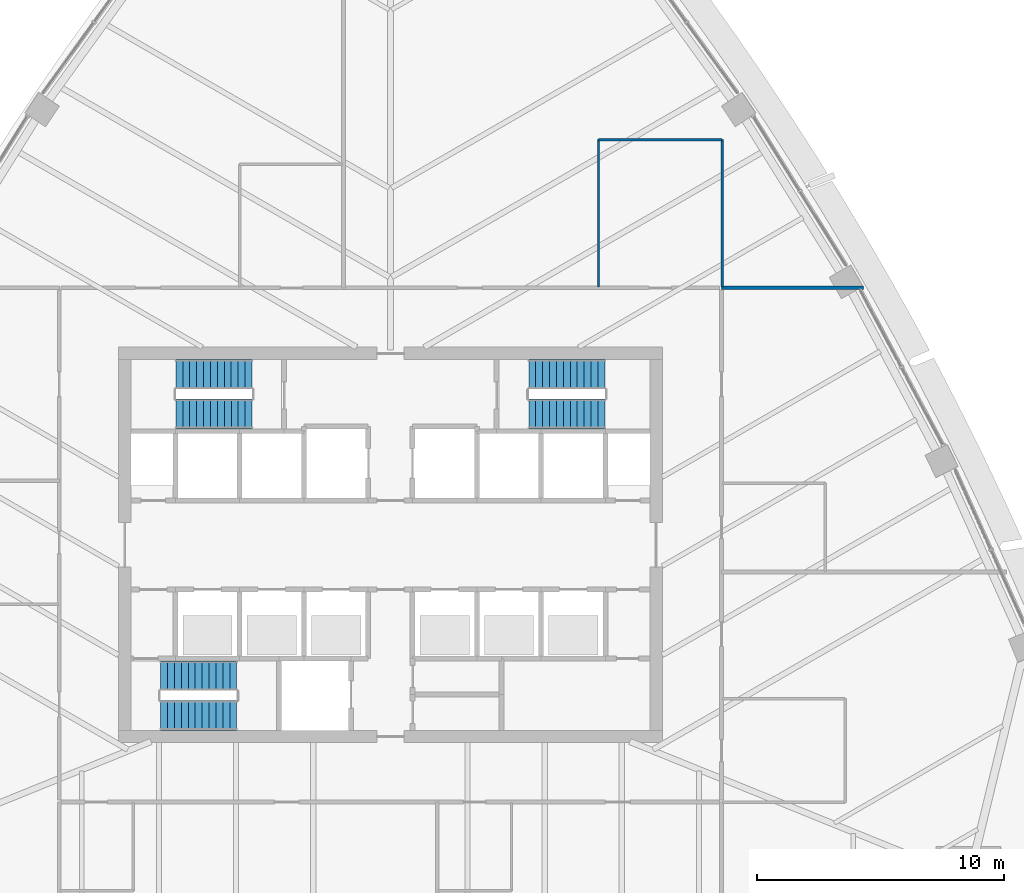
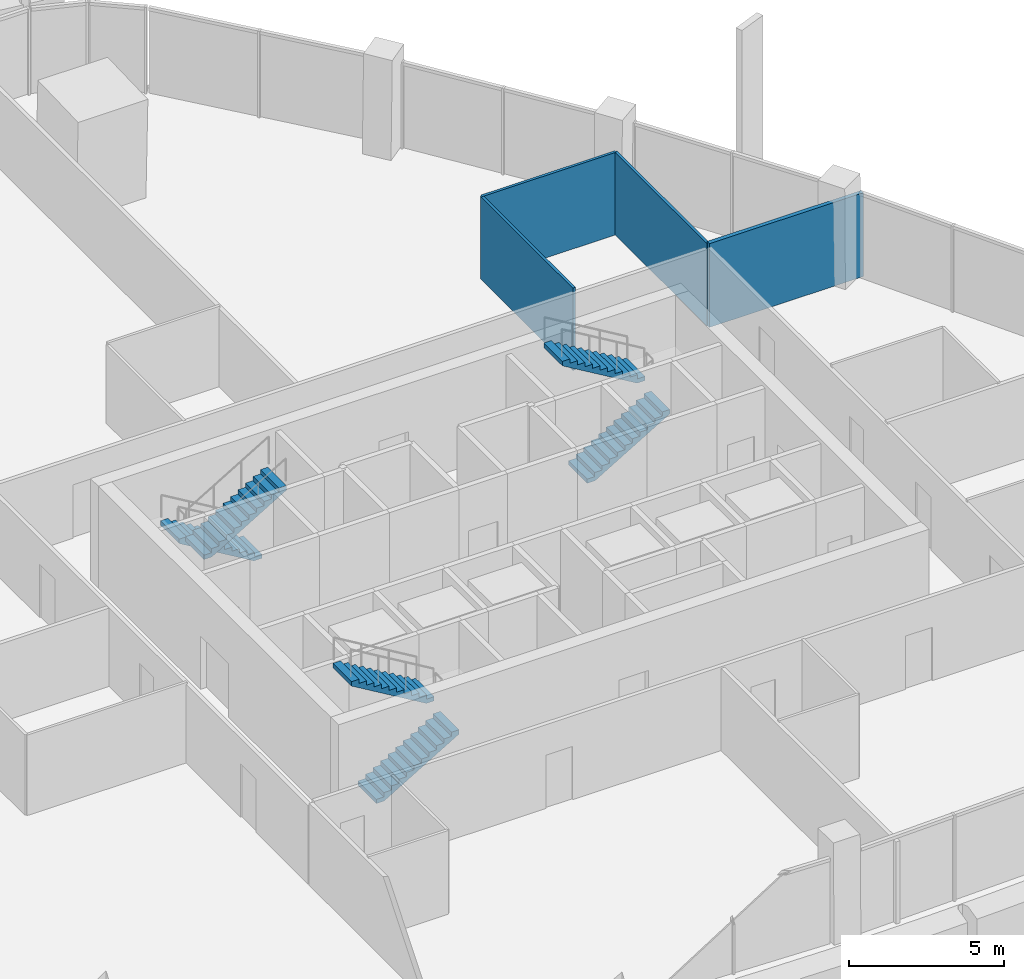
# One storey, part 12 of 19: 6 stair flights, 4 walls, 3 elements without a shape of their own.
"""IFC4 building model written with IfcOpenShell, lengths in metres."""

from ifc_helpers import new_model, si_unit, direction, frame, frame_2d, origin, place, context, subcontext, project, spatial, polyline, rectangle, outline, extrude, material, layer, layer_set, type_object, element, aggregate, save


model = new_model("IFC4")

# Units and contexts
model_context = context("Model", 3, precision=1e-05, world=origin(), true_north=direction((0.0, 1.0)))
body_context = subcontext(model_context, "Body", "Model", "MODEL_VIEW")
ifc_project = project(units=[si_unit("LENGTHUNIT", "METRE"), si_unit("AREAUNIT", "SQUARE_METRE"), si_unit("VOLUMEUNIT", "CUBIC_METRE"), si_unit("PLANEANGLEUNIT", "RADIAN"), si_unit("MASSUNIT", "GRAM", prefix="KILO")], contexts=[model_context])

# Site, building, storey
site_placement = place(None, origin())
site = spatial("IfcSite", under=ifc_project, at=site_placement, CompositionType="ELEMENT")
building_placement = place(site_placement, origin())
building = spatial("IfcBuilding", under=site, at=building_placement, Name="Sierra Prisma Convention Tower", CompositionType="ELEMENT")
storey_placement = place(building_placement, frame((0.0, 0.0, 185.800048828125)))
storey = spatial("IfcBuildingStorey", under=building, at=storey_placement, Name="L41", CompositionType="ELEMENT", Elevation=185.800048828125)

# Walls
ifc_material_1 = material(Name="Gypsum board partition", Category="gypsum")
ifc_layer_1 = layer(ifc_material_1, 0.10009765625)
ifc_layer_set_1 = layer_set([ifc_layer_1], Name="Bathroom partition 100")
wall_type_1 = type_object("IfcWallType", Name="Bathroom partition 100", PredefinedType="PARTITIONING", material=ifc_layer_set_1)
wall_1_placement = place(storey_placement, frame((8.419921875, 10.429931640625, 0.0), z_axis=(0.0, 0.0, 1.0), x_axis=(0.0, 1.0, 0.0)))
element("IfcWall", 1, at=wall_1_placement, inside=storey, type_object=wall_type_1, Name="Partition L41 bath 9", PredefinedType="PARTITIONING", context=body_context, shape_type="SweptSolid", body=[
    extrude(rectangle(XDim=5.969970703125, YDim=0.10009765625, at=frame_2d((2.98486328125, 0.0))), origin(), (0.0, 0.0, 1.0), 3.2470703125),
])
wall_2_placement = place(storey_placement, frame((8.419921875, 16.39990234375, 0.0), z_axis=(0.0, 0.0, 1.0), x_axis=(1.0, 0.0, 0.0)))
element("IfcWall", 2, at=wall_2_placement, inside=storey, type_object=wall_type_1, Name="Partition L41 bath 10", PredefinedType="PARTITIONING", context=body_context, shape_type="SweptSolid", body=[
    extrude(rectangle(XDim=5.0, YDim=0.10009765625, at=frame_2d((2.5, 0.0))), origin(), (0.0, 0.0, 1.0), 3.2470703125),
])
wall_3_placement = place(storey_placement, frame((13.419921875, 16.39990234375, 0.0), z_axis=(0.0, 0.0, 1.0), x_axis=(0.0, -1.0, 0.0)))
element("IfcWall", 3, at=wall_3_placement, inside=storey, type_object=wall_type_1, Name="Partition L41 bath 11", PredefinedType="PARTITIONING", context=body_context, shape_type="SweptSolid", body=[
    extrude(rectangle(XDim=5.969970703125, YDim=0.10009765625, at=frame_2d((2.98486328125, 0.0))), origin(), (0.0, 0.0, 1.0), 3.2470703125),
])
ifc_material_2 = material(Name="Gypsum board partition", Category="gypsum")
ifc_layer_2 = layer(ifc_material_2, 0.14990234375)
ifc_layer_set_2 = layer_set([ifc_layer_2], Name="Party wall 150 gypsum")
wall_type_2 = type_object("IfcWallType", Name="Party wall 150 gypsum", PredefinedType="PARTITIONING", material=ifc_layer_set_2)
wall_4_placement = place(storey_placement, frame((13.39990234375, 10.39990234375, 0.0), z_axis=(0.0, 0.0, 1.0), x_axis=(1.0, 0.0, 0.0)))
element("IfcWall", 4, at=wall_4_placement, inside=storey, type_object=wall_type_2, Name="Partition L41 party 8", PredefinedType="PARTITIONING", context=body_context, shape_type="SweptSolid", body=[
    extrude(rectangle(XDim=5.740478515625, YDim=0.14990234375, at=frame_2d((2.8701171875, 0.0))), origin(), (0.0, 0.0, 1.0), 3.300048828125),
])

# Stair, stair flights
ifc_material_3 = material(Name="Concrete C30/37", Category="concrete")
stair_type = type_object("IfcStairType", Name="Stair dog-leg 1200 RC", PredefinedType="HALF_TURN_STAIR", material=ifc_material_3)
stair_1_placement = place(storey_placement, origin())
stair_1 = element("IfcStair", 5, at=stair_1_placement, inside=storey, type_object=stair_type, Name="L41 S1", PredefinedType="HALF_TURN_STAIR")
ifc_material_4 = material(Name="Concrete C30/37", Category="concrete")
stair_flight_type = type_object("IfcStairFlightType", Name="Stair flight RC 1200", PredefinedType="STRAIGHT", material=ifc_material_4)
stair_flight_1_placement = place(storey_placement, frame((-9.300048828125, -6.89990234375, 0.0), z_axis=(0.0, 0.0, 1.0), x_axis=(1.0, 0.0, 0.0)))
stair_flight_1 = element("IfcStairFlight", 6, at=stair_flight_1_placement, type_object=stair_flight_type, Name="S1 flight 1", NumberOfRisers=12, NumberOfTreads=11, PredefinedType="STRAIGHT", RiserHeight=0.166666667, TreadLength=0.28, context=body_context, shape_type="SweptSolid", body=[
    extrude(outline(polyline([(0.0, 0.0), (0.0, 0.166748046875), (0.280029296875, 0.166748046875), (0.280029296875, 0.333251953125), (0.56005859375, 0.333251953125), (0.56005859375, 0.5), (0.840087890625, 0.5), (0.840087890625, 0.666748046875), (1.1201171875, 0.666748046875), (1.1201171875, 0.833251953125), (1.39990234375, 0.833251953125), (1.39990234375, 1.0), (1.679931640625, 1.0), (1.679931640625, 1.166748046875), (1.9599609375, 1.166748046875), (1.9599609375, 1.333251953125), (2.239990234375, 1.333251953125), (2.239990234375, 1.5), (2.52001953125, 1.5), (2.52001953125, 1.666748046875), (2.800048828125, 1.666748046875), (2.800048828125, 1.833251953125), (3.080078125, 1.833251953125), (3.080078125, 2.0), (3.080078125, 1.658935546875), (0.29296875, 0.0), (0.0, 0.0)])), frame((0.0, 0.60009765625, 0.0), z_axis=(0.0, -1.0, 0.0), x_axis=(1.0, 0.0, 0.0)), (0.0, 0.0, 1.0), 1.199951171875),
])
stair_flight_2_placement = place(storey_placement, frame((-6.219970703125, -5.300048828125, 2.0), z_axis=(0.0, 0.0, 1.0), x_axis=(-1.0, 0.0, 0.0)))
stair_flight_2 = element("IfcStairFlight", 7, at=stair_flight_2_placement, type_object=stair_flight_type, Name="S1 flight 2", NumberOfRisers=12, NumberOfTreads=11, PredefinedType="STRAIGHT", RiserHeight=0.166666667, TreadLength=0.28, context=body_context, shape_type="SweptSolid", body=[
    extrude(outline(polyline([(0.0, 0.0), (0.0, 0.166748046875), (0.280029296875, 0.166748046875), (0.280029296875, 0.333251953125), (0.56005859375, 0.333251953125), (0.56005859375, 0.5), (0.840087890625, 0.5), (0.840087890625, 0.666748046875), (1.1201171875, 0.666748046875), (1.1201171875, 0.833251953125), (1.39990234375, 0.833251953125), (1.39990234375, 1.0), (1.679931640625, 1.0), (1.679931640625, 1.166748046875), (1.9599609375, 1.166748046875), (1.9599609375, 1.333251953125), (2.239990234375, 1.333251953125), (2.239990234375, 1.5), (2.52001953125, 1.5), (2.52001953125, 1.666748046875), (2.800048828125, 1.666748046875), (2.800048828125, 1.833251953125), (3.080078125, 1.833251953125), (3.080078125, 2.0), (3.080078125, 1.658935546875), (0.29296875, 0.0), (0.0, 0.0)])), frame((0.0, 0.60009765625, 0.0), z_axis=(0.0, -1.0, 0.0), x_axis=(1.0, 0.0, 0.0)), (0.0, 0.0, 1.0), 1.199951171875),
])
aggregate(stair_1, [stair_flight_1, stair_flight_2])

stair_2_placement = place(storey_placement, origin())
stair_2 = element("IfcStair", 8, at=stair_2_placement, inside=storey, type_object=stair_type, Name="L41 S3", PredefinedType="HALF_TURN_STAIR")
stair_flight_3_placement = place(storey_placement, frame((-5.60009765625, 6.89990234375, 0.0), z_axis=(0.0, 0.0, 1.0), x_axis=(-1.0, 0.0, 0.0)))
stair_flight_3 = element("IfcStairFlight", 9, at=stair_flight_3_placement, type_object=stair_flight_type, Name="S3 flight 1", NumberOfRisers=12, NumberOfTreads=11, PredefinedType="STRAIGHT", RiserHeight=0.166666667, TreadLength=0.28, context=body_context, shape_type="SweptSolid", body=[
    extrude(outline(polyline([(0.0, 0.0), (0.0, 0.166748046875), (0.280029296875, 0.166748046875), (0.280029296875, 0.333251953125), (0.56005859375, 0.333251953125), (0.56005859375, 0.5), (0.840087890625, 0.5), (0.840087890625, 0.666748046875), (1.1201171875, 0.666748046875), (1.1201171875, 0.833251953125), (1.39990234375, 0.833251953125), (1.39990234375, 1.0), (1.679931640625, 1.0), (1.679931640625, 1.166748046875), (1.9599609375, 1.166748046875), (1.9599609375, 1.333251953125), (2.239990234375, 1.333251953125), (2.239990234375, 1.5), (2.52001953125, 1.5), (2.52001953125, 1.666748046875), (2.800048828125, 1.666748046875), (2.800048828125, 1.833251953125), (3.080078125, 1.833251953125), (3.080078125, 2.0), (3.080078125, 1.658935546875), (0.29296875, 0.0), (0.0, 0.0)])), frame((0.0, 0.60009765625, 0.0), z_axis=(0.0, -1.0, 0.0), x_axis=(1.0, 0.0, 0.0)), (0.0, 0.0, 1.0), 1.199951171875),
])
stair_flight_4_placement = place(storey_placement, frame((-8.679931640625, 5.300048828125, 2.0), z_axis=(0.0, 0.0, 1.0), x_axis=(1.0, 0.0, 0.0)))
stair_flight_4 = element("IfcStairFlight", 10, at=stair_flight_4_placement, type_object=stair_flight_type, Name="S3 flight 2", NumberOfRisers=12, NumberOfTreads=11, PredefinedType="STRAIGHT", RiserHeight=0.166666667, TreadLength=0.28, context=body_context, shape_type="SweptSolid", body=[
    extrude(outline(polyline([(0.0, 0.0), (0.0, 0.166748046875), (0.280029296875, 0.166748046875), (0.280029296875, 0.333251953125), (0.56005859375, 0.333251953125), (0.56005859375, 0.5), (0.840087890625, 0.5), (0.840087890625, 0.666748046875), (1.1201171875, 0.666748046875), (1.1201171875, 0.833251953125), (1.39990234375, 0.833251953125), (1.39990234375, 1.0), (1.679931640625, 1.0), (1.679931640625, 1.166748046875), (1.9599609375, 1.166748046875), (1.9599609375, 1.333251953125), (2.239990234375, 1.333251953125), (2.239990234375, 1.5), (2.52001953125, 1.5), (2.52001953125, 1.666748046875), (2.800048828125, 1.666748046875), (2.800048828125, 1.833251953125), (3.080078125, 1.833251953125), (3.080078125, 2.0), (3.080078125, 1.658935546875), (0.29296875, 0.0), (0.0, 0.0)])), frame((0.0, 0.60009765625, 0.0), z_axis=(0.0, -1.0, 0.0), x_axis=(1.0, 0.0, 0.0)), (0.0, 0.0, 1.0), 1.199951171875),
])
aggregate(stair_2, [stair_flight_3, stair_flight_4])

stair_3_placement = place(storey_placement, origin())
stair_3 = element("IfcStair", 11, at=stair_3_placement, inside=storey, type_object=stair_type, Name="L41 S4", PredefinedType="HALF_TURN_STAIR")
stair_flight_5_placement = place(storey_placement, frame((5.60009765625, 5.300048828125, 0.0), z_axis=(0.0, 0.0, 1.0), x_axis=(1.0, 0.0, 0.0)))
stair_flight_5 = element("IfcStairFlight", 12, at=stair_flight_5_placement, type_object=stair_flight_type, Name="S4 flight 1", NumberOfRisers=12, NumberOfTreads=11, PredefinedType="STRAIGHT", RiserHeight=0.166666667, TreadLength=0.28, context=body_context, shape_type="SweptSolid", body=[
    extrude(outline(polyline([(0.0, 0.0), (0.0, 0.166748046875), (0.280029296875, 0.166748046875), (0.280029296875, 0.333251953125), (0.56005859375, 0.333251953125), (0.56005859375, 0.5), (0.840087890625, 0.5), (0.840087890625, 0.666748046875), (1.1201171875, 0.666748046875), (1.1201171875, 0.833251953125), (1.39990234375, 0.833251953125), (1.39990234375, 1.0), (1.679931640625, 1.0), (1.679931640625, 1.166748046875), (1.9599609375, 1.166748046875), (1.9599609375, 1.333251953125), (2.239990234375, 1.333251953125), (2.239990234375, 1.5), (2.52001953125, 1.5), (2.52001953125, 1.666748046875), (2.800048828125, 1.666748046875), (2.800048828125, 1.833251953125), (3.080078125, 1.833251953125), (3.080078125, 2.0), (3.080078125, 1.658935546875), (0.29296875, 0.0), (0.0, 0.0)])), frame((0.0, 0.60009765625, 0.0), z_axis=(0.0, -1.0, 0.0), x_axis=(1.0, 0.0, 0.0)), (0.0, 0.0, 1.0), 1.199951171875),
])
stair_flight_6_placement = place(storey_placement, frame((8.679931640625, 6.89990234375, 2.0), z_axis=(0.0, 0.0, 1.0), x_axis=(-1.0, 0.0, 0.0)))
stair_flight_6 = element("IfcStairFlight", 13, at=stair_flight_6_placement, type_object=stair_flight_type, Name="S4 flight 2", NumberOfRisers=12, NumberOfTreads=11, PredefinedType="STRAIGHT", RiserHeight=0.166666667, TreadLength=0.28, context=body_context, shape_type="SweptSolid", body=[
    extrude(outline(polyline([(0.0, 0.0), (0.0, 0.166748046875), (0.280029296875, 0.166748046875), (0.280029296875, 0.333251953125), (0.56005859375, 0.333251953125), (0.56005859375, 0.5), (0.840087890625, 0.5), (0.840087890625, 0.666748046875), (1.1201171875, 0.666748046875), (1.1201171875, 0.833251953125), (1.39990234375, 0.833251953125), (1.39990234375, 1.0), (1.679931640625, 1.0), (1.679931640625, 1.166748046875), (1.9599609375, 1.166748046875), (1.9599609375, 1.333251953125), (2.239990234375, 1.333251953125), (2.239990234375, 1.5), (2.52001953125, 1.5), (2.52001953125, 1.666748046875), (2.800048828125, 1.666748046875), (2.800048828125, 1.833251953125), (3.080078125, 1.833251953125), (3.080078125, 2.0), (3.080078125, 1.658935546875), (0.29296875, 0.0), (0.0, 0.0)])), frame((0.0, 0.60009765625, 0.0), z_axis=(0.0, -1.0, 0.0), x_axis=(1.0, 0.0, 0.0)), (0.0, 0.0, 1.0), 1.199951171875),
])
aggregate(stair_3, [stair_flight_5, stair_flight_6])

save(model, "model.ifc")
